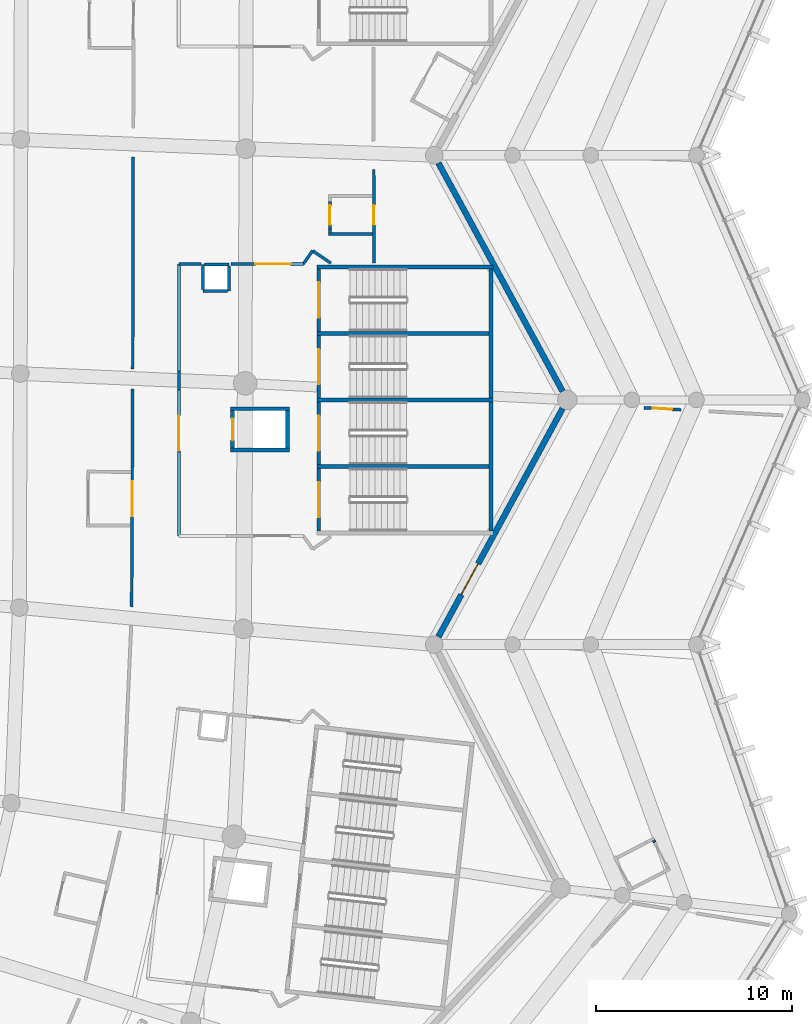
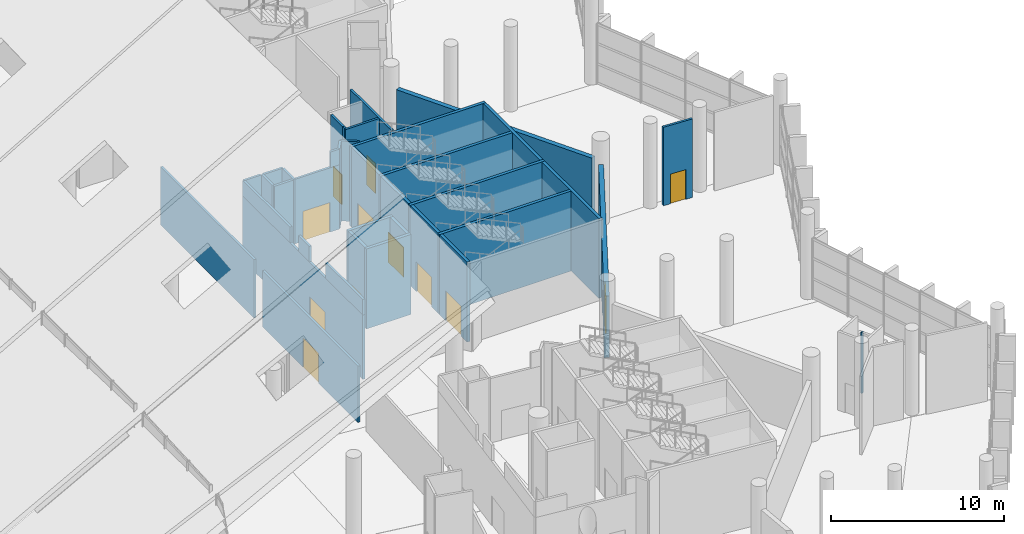
# One storey, part 156 of 249: 37 walls, 12 doors, 12 openings.
"""IFC4 building model written with IfcOpenShell, lengths in metres."""

import ifcopenshell
import ifcopenshell.guid

model = None  # the IFC model being written
_history = None  # IfcOwnerHistory: only IFC2X3 demands one
_inside = {}  # id of a spatial element -> (the spatial element, [elements in it])
_under = {}  # id of a project, library or spatial element -> (it, [spatial elements below it])
_declared = {}  # id of a project -> (the project, [libraries it declares])
_typed = {}  # id of a type object -> (the type object, [elements of that type])
_made_of = {}  # id of a material, layer set ... -> (it, [elements and type objects made of it])


def new_model(schema):
    """Start an empty IFC model of exactly this schema.

    Asked for "IFC4X3", IfcOpenShell would pick the latest addendum, in which some entities
    have other attributes; the version numbers below select the first issue.
    IFC2X3 requires an IfcOwnerHistory on every rooted entity: one is made here for all.
    """
    global model, _history
    if schema == "IFC4X3":
        model = ifcopenshell.file(schema_version=(4, 3, 0, 0))
    else:
        model = ifcopenshell.file(schema=schema)
    _inside.clear()
    _under.clear()
    _declared.clear()
    _typed.clear()
    _made_of.clear()
    _history = None
    if model.schema == "IFC2X3":
        org = make("IfcOrganization", Name="unknown")
        user = make(
            "IfcPersonAndOrganization",
            ThePerson=make("IfcPerson", FamilyName="unknown"),
            TheOrganization=org,
        )
        app = make(
            "IfcApplication",
            ApplicationDeveloper=org,
            Version="unknown",
            ApplicationFullName="unknown",
            ApplicationIdentifier="unknown",
        )
        _history = make(
            "IfcOwnerHistory",
            OwningUser=user,
            OwningApplication=app,
            ChangeAction="ADDED",
            CreationDate=0,
        )
    return model


def make(cls, **values):
    """One entity of the class cls with the attributes given. An attribute that is None is left unset."""
    return model.create_entity(
        cls, **{name: value for name, value in values.items() if value is not None}
    )


def rooted(cls, **values):
    """An entity with a GlobalId (a new one), such as an element, a storey or a relation."""
    return make(cls, GlobalId=ifcopenshell.guid.new(), OwnerHistory=_history, **values)


def si_unit(unit_type, name, prefix=None):
    """IfcSIUnit, for example si_unit("LENGTHUNIT", "METRE", prefix="MILLI")."""
    return make("IfcSIUnit", UnitType=unit_type, Prefix=prefix, Name=name)


def assignment(units):
    """IfcUnitAssignment: the units of a project."""
    return None if units is None else make("IfcUnitAssignment", Units=units)


def point(xyz):
    """IfcCartesianPoint."""
    return None if xyz is None else make("IfcCartesianPoint", Coordinates=xyz)


def direction(xyz):
    """IfcDirection."""
    return None if xyz is None else make("IfcDirection", DirectionRatios=xyz)


def frame(location, z_axis=None, x_axis=None):
    """IfcAxis2Placement3D, a coordinate frame: its origin and axes. An axis left out is left unset."""
    return make(
        "IfcAxis2Placement3D",
        Location=point(location),
        Axis=direction(z_axis),
        RefDirection=direction(x_axis),
    )


def frame_2d(location, x_axis=None):
    """IfcAxis2Placement2D, a coordinate frame in the plane: its origin and x axis."""
    return make(
        "IfcAxis2Placement2D", Location=point(location), RefDirection=direction(x_axis)
    )


def origin():
    """The frame at (0, 0, 0) with its axes left unset."""
    return frame((0.0, 0.0, 0.0))


def place(relative_to, where):
    """IfcLocalPlacement: puts the frame where relative to a parent placement (None: the world)."""
    return make(
        "IfcLocalPlacement", PlacementRelTo=relative_to, RelativePlacement=where
    )


def context(
    kind, dimensions, precision=None, world=None, true_north=None, identifier=None
):
    """IfcGeometricRepresentationContext, for example the 3D "Model" context."""
    return make(
        "IfcGeometricRepresentationContext",
        ContextIdentifier=identifier,
        ContextType=kind,
        CoordinateSpaceDimension=dimensions,
        Precision=precision,
        WorldCoordinateSystem=world,
        TrueNorth=true_north,
    )


def subcontext(parent, identifier, kind, view, scale=None):
    """IfcGeometricRepresentationSubContext, for example "Body" below "Model"."""
    return make(
        "IfcGeometricRepresentationSubContext",
        ContextIdentifier=identifier,
        ContextType=kind,
        ParentContext=parent,
        TargetScale=scale,
        TargetView=view,
    )


def project(units=None, contexts=None):
    """IfcProject with its units and contexts."""
    return rooted(
        "IfcProject",
        Name="project",
        RepresentationContexts=contexts,
        UnitsInContext=assignment(units),
    )


def spatial(cls, under=None, at=None, **own):
    """A site, building, storey or space (cls), placed at a placement, below another one or the project."""
    s = rooted(cls, ObjectPlacement=at, **own)
    if under is not None:
        _under.setdefault(under.id(), (under, []))[1].append(s)
    return s


def profile(cls, at=None, kind="AREA", **sizes):
    """A parametric profile (cls). Its sizes go by their IFC names, for example OverallWidth=200.0."""
    return make(cls, ProfileType=kind, Position=at, **sizes)


def rectangle(**sizes):
    """IfcRectangleProfileDef."""
    return profile("IfcRectangleProfileDef", **sizes)


def extrude(swept, where, along, depth):
    """IfcExtrudedAreaSolid: the profile swept, set in the frame where, extruded along a direction by depth."""
    return make(
        "IfcExtrudedAreaSolid",
        SweptArea=swept,
        Position=where,
        ExtrudedDirection=direction(along),
        Depth=depth,
    )


def shape(context_of_items, identifier, shape_type, items):
    """IfcShapeRepresentation: the items that make up one representation, for example the "Body"."""
    return make(
        "IfcShapeRepresentation",
        ContextOfItems=context_of_items,
        RepresentationIdentifier=identifier,
        RepresentationType=shape_type,
        Items=items,
    )


def material(Name=None, Category=None):
    """IfcMaterial."""
    return make("IfcMaterial", Name=Name, Category=Category)


def layer(
    of_material, thickness, ventilated=None, Name=None, Category=None, Priority=None
):
    """IfcMaterialLayer: one layer of a wall or slab, of a material (None: an air gap)."""
    return make(
        "IfcMaterialLayer",
        Material=of_material,
        LayerThickness=thickness,
        IsVentilated=ventilated,
        Name=Name,
        Category=Category,
        Priority=Priority,
    )


def layer_set(layers, Name=None):
    """IfcMaterialLayerSet."""
    return make("IfcMaterialLayerSet", MaterialLayers=layers, LayerSetName=Name)


def made_of(thing, what):
    """Note that an element or type object is made of a material, layer set ...; save() writes the relation."""
    if what is not None:
        _made_of.setdefault(what.id(), (what, []))[1].append(thing)
    return thing


def type_object(cls, material=None, **own):
    """A type object (cls), such as IfcWallType, which elements share."""
    return made_of(rooted(cls, **own), material)


def element(
    cls,
    number,
    at=None,
    inside=None,
    cuts=None,
    type_object=None,
    material=None,
    context=None,
    identifier="Body",
    shape_type=None,
    held_by="IfcProductDefinitionShape",
    body=None,
    shapes=None,
    **own,
):
    """One element of the class cls, such as IfcWall. Its Tag is "e" and its number.

    at: its placement. inside: the storey or other place that contains it. cuts: it is an
    opening in that element (IfcRelVoidsElement). A single representation is given by context,
    identifier, shape_type and body (its items); several are given by shapes. held_by: the class
    of the entity that holds the representations. save() writes the other relations.
    """
    e = rooted(cls, Tag="e%d" % number, ObjectPlacement=at, **own)
    if body is not None:
        shapes = [shape(context, identifier, shape_type, body)]
    if shapes is not None:
        e.Representation = make(held_by, Representations=shapes)
    if inside is not None:
        _inside.setdefault(inside.id(), (inside, []))[1].append(e)
    if cuts is not None:
        rooted(
            "IfcRelVoidsElement", RelatingBuildingElement=cuts, RelatedOpeningElement=e
        )
    if type_object is not None:
        _typed.setdefault(type_object.id(), (type_object, []))[1].append(e)
    return made_of(e, material)


def fill(opening, filler):
    """IfcRelFillsElement: the door or window that sits in an opening."""
    return rooted(
        "IfcRelFillsElement",
        RelatingOpeningElement=opening,
        RelatedBuildingElement=filler,
    )


def aggregate(whole, parts):
    """IfcRelAggregates: a whole, such as a stair, and the parts it consists of."""
    return rooted("IfcRelAggregates", RelatingObject=whole, RelatedObjects=parts)


def save(model, path):
    """Write the relations noted so far, then the file.

    IfcRelAggregates (storeys below a building ...), IfcRelContainedInSpatialStructure (elements
    in a storey), IfcRelDefinesByType, IfcRelAssociatesMaterial and IfcRelDeclares: one each for
    every whole, place, type object, material and project.
    """
    for whole, parts in _under.values():
        aggregate(whole, parts)
    for where, things in _inside.values():
        rooted(
            "IfcRelContainedInSpatialStructure",
            RelatedElements=things,
            RelatingStructure=where,
        )
    for kind, things in _typed.values():
        rooted("IfcRelDefinesByType", RelatedObjects=things, RelatingType=kind)
    for what, things in _made_of.values():
        rooted("IfcRelAssociatesMaterial", RelatedObjects=things, RelatingMaterial=what)
    for by, libraries in _declared.values():
        rooted("IfcRelDeclares", RelatingContext=by, RelatedDefinitions=libraries)
    model.write(path)


model = new_model("IFC4")

# Units and contexts
model_context = context("Model", 3, precision=1e-05, world=origin(), true_north=direction((0.0, 1.0)))
body_context = subcontext(model_context, "Body", "Model", "MODEL_VIEW")
ifc_project = project(units=[si_unit("LENGTHUNIT", "METRE"), si_unit("AREAUNIT", "SQUARE_METRE"), si_unit("VOLUMEUNIT", "CUBIC_METRE"), si_unit("PLANEANGLEUNIT", "RADIAN"), si_unit("MASSUNIT", "GRAM", prefix="KILO")], contexts=[model_context])

# Site, building, storey
site_placement = place(None, origin())
site = spatial("IfcSite", under=ifc_project, at=site_placement, CompositionType="ELEMENT")
building_placement = place(site_placement, origin())
building = spatial("IfcBuilding", under=site, at=building_placement, Name="Meseta Stadium", CompositionType="ELEMENT")
storey_placement = place(building_placement, frame((0.0, 0.0, 12.0)))
storey = spatial("IfcBuildingStorey", under=building, at=storey_placement, Name="L02", CompositionType="ELEMENT", Elevation=12.0)

# Walls
ifc_material_1 = material(Name="Concrete C40/50", Category="concrete")
ifc_layer_1 = layer(ifc_material_1, 0.199951171875)
ifc_layer_set_1 = layer_set([ifc_layer_1], Name="Core divider wall 200")
wall_type_1 = type_object("IfcWallType", Name="Core divider wall 200", PredefinedType="SHEAR", material=ifc_layer_set_1)
for number, where, z_axis, x_axis, name in (
    (1, (97.60009765625, -34.64990234375, 0.0), (0.0, 0.0, 1.0), (-1.0, 0.0, 0.0), "Core 02 L02 stair A divider wall"),
    (2, (97.60009765625, -27.85009765625, 0.0), (0.0, 0.0, 1.0), (-1.0, 0.0, 0.0), "Core 02 L02 stair B divider wall"),
):
    element("IfcWall", number, at=place(storey_placement, frame(where, z_axis=z_axis, x_axis=x_axis)), inside=storey, type_object=wall_type_1, Name=name, PredefinedType="SHEAR", context=body_context, shape_type="SweptSolid", body=[
        extrude(rectangle(XDim=9.0, YDim=0.199951171875, at=frame_2d((4.5, 0.0))), origin(), (0.0, 0.0, 1.0), 5.64990234375),
    ])
ifc_material_2 = material(Name="Concrete C40/50", Category="concrete")
ifc_layer_2 = layer(ifc_material_2, 0.199951171875)
ifc_layer_set_2 = layer_set([ifc_layer_2], Name="Core shaft wall 200")
wall_type_2 = type_object("IfcWallType", Name="Core shaft wall 200", PredefinedType="SHEAR", material=ifc_layer_set_2)
for number, where, z_axis, x_axis, name in (
    (3, (97.60009765625, -31.25, 0.0), (0.0, 0.0, 1.0), (-1.0, 0.0, 0.0), "Core 02 L02 stair wall shared"),
    (4, (97.60009765625, -24.449951171875, 0.0), (0.0, 0.0, 1.0), (-1.0, 0.0, 0.0), "Core 02 L02 stair wall B-side"),
):
    element("IfcWall", number, at=place(storey_placement, frame(where, z_axis=z_axis, x_axis=x_axis)), inside=storey, type_object=wall_type_2, Name=name, PredefinedType="SHEAR", context=body_context, shape_type="SweptSolid", body=[
        extrude(rectangle(XDim=9.0, YDim=0.199951171875, at=frame_2d((4.5, 0.0))), origin(), (0.0, 0.0, 1.0), 5.64990234375),
    ])
for number, where, z_axis, x_axis, name in (
    (5, (97.5, -37.949951171875, 0.0), (0.0, 0.0, 1.0), (0.0, 1.0, 0.0), "Core 02 L02 stair A outer end wall"),
    (6, (97.5, -31.14990234375, 0.0), (0.0, 0.0, 1.0), (0.0, 1.0, 0.0), "Core 02 L02 stair B outer end wall"),
):
    element("IfcWall", number, at=place(storey_placement, frame(where, z_axis=z_axis, x_axis=x_axis)), inside=storey, type_object=wall_type_2, Name=name, PredefinedType="SHEAR", context=body_context, shape_type="SweptSolid", body=[
        extrude(rectangle(XDim=6.599853515625, YDim=0.199951171875, at=frame_2d((3.2998046875, 0.0))), origin(), (0.0, 0.0, 1.0), 5.64990234375),
    ])

# Wall, opening, door
wall_1_placement = place(storey_placement, frame((88.699951171875, -37.949951171875, 0.0), z_axis=(0.0, 0.0, 1.0), x_axis=(0.0, 1.0, 0.0)))
wall_1 = element("IfcWall", 7, at=wall_1_placement, inside=storey, type_object=wall_type_2, Name="Core 02 L02 stair A1 inner end wall", PredefinedType="SHEAR", context=body_context, shape_type="SweptSolid", body=[
    extrude(rectangle(XDim=3.199951171875, YDim=0.199951171875, at=frame_2d((1.60009765625, 0.0))), origin(), (0.0, 0.0, 1.0), 5.64990234375),
])
opening_1_placement = place(wall_1_placement, frame((0.699951171875, 0.0, 0.0)))
opening_1 = element("IfcOpeningElement", 8, at=opening_1_placement, cuts=wall_1, Name="Opening D1241", PredefinedType="OPENING", context=body_context, shape_type="SweptSolid", body=[
    extrude(rectangle(XDim=1.800048828125, YDim=2.10009765625, at=frame_2d((0.89990234375, 1.050048828125))), frame((0.0, 0.10986328125, 0.0), z_axis=(0.0, -1.0, 0.0), x_axis=(1.0, 0.0, 0.0)), (0.0, 0.0, 1.0), 0.219970703125),
])
ifc_material_3 = material(Name="Steel", Category="steel")
door_type_1 = type_object("IfcDoorType", Name="Stair door 1800x2100", OperationType="DOUBLE_DOOR_SINGLE_SWING", PredefinedType="DOOR", material=ifc_material_3)
door_1_placement = place(opening_1_placement, origin())
door_1 = element("IfcDoor", 9, at=door_1_placement, inside=storey, type_object=door_type_1, Name="Stair A1 door 02 L02", OperationType="DOUBLE_DOOR_SINGLE_SWING", OverallHeight=2.10009765625, OverallWidth=1.800048828125, PredefinedType="DOOR", context=body_context, shape_type="SweptSolid", body=[
    extrude(rectangle(XDim=1.800048828125, YDim=2.10009765625, at=frame_2d((0.89990234375, 1.050048828125))), frame((0.0, 0.02490234375, 0.0), z_axis=(0.0, -1.0, 0.0), x_axis=(1.0, 0.0, 0.0)), (0.0, 0.0, 1.0), 0.050048828125),
])
fill(opening_1, door_1)

wall_2_placement = place(storey_placement, frame((88.699951171875, -34.550048828125, 0.0), z_axis=(0.0, 0.0, 1.0), x_axis=(0.0, 1.0, 0.0)))
wall_2 = element("IfcWall", 10, at=wall_2_placement, inside=storey, type_object=wall_type_2, Name="Core 02 L02 stair A2 inner end wall", PredefinedType="SHEAR", context=body_context, shape_type="SweptSolid", body=[
    extrude(rectangle(XDim=3.199951171875, YDim=0.199951171875, at=frame_2d((1.60009765625, 0.0))), origin(), (0.0, 0.0, 1.0), 5.64990234375),
])
opening_2_placement = place(wall_2_placement, frame((0.699951171875, 0.0, 0.0)))
opening_2 = element("IfcOpeningElement", 11, at=opening_2_placement, cuts=wall_2, Name="Opening D1242", PredefinedType="OPENING", context=body_context, shape_type="SweptSolid", body=[
    extrude(rectangle(XDim=1.800048828125, YDim=2.10009765625, at=frame_2d((0.89990234375, 1.050048828125))), frame((0.0, 0.10986328125, 0.0), z_axis=(0.0, -1.0, 0.0), x_axis=(1.0, 0.0, 0.0)), (0.0, 0.0, 1.0), 0.219970703125),
])
door_2_placement = place(opening_2_placement, origin())
door_2 = element("IfcDoor", 12, at=door_2_placement, inside=storey, type_object=door_type_1, Name="Stair A2 door 02 L02", OperationType="DOUBLE_DOOR_SINGLE_SWING", OverallHeight=2.10009765625, OverallWidth=1.800048828125, PredefinedType="DOOR", context=body_context, shape_type="SweptSolid", body=[
    extrude(rectangle(XDim=1.800048828125, YDim=2.10009765625, at=frame_2d((0.89990234375, 1.050048828125))), frame((0.0, 0.02490234375, 0.0), z_axis=(0.0, -1.0, 0.0), x_axis=(1.0, 0.0, 0.0)), (0.0, 0.0, 1.0), 0.050048828125),
])
fill(opening_2, door_2)

wall_3_placement = place(storey_placement, frame((88.699951171875, -31.14990234375, 0.0), z_axis=(0.0, 0.0, 1.0), x_axis=(0.0, 1.0, 0.0)))
wall_3 = element("IfcWall", 13, at=wall_3_placement, inside=storey, type_object=wall_type_2, Name="Core 02 L02 stair B1 inner end wall", PredefinedType="SHEAR", context=body_context, shape_type="SweptSolid", body=[
    extrude(rectangle(XDim=3.199951171875, YDim=0.199951171875, at=frame_2d((1.60009765625, 0.0))), origin(), (0.0, 0.0, 1.0), 5.64990234375),
])
opening_3_placement = place(wall_3_placement, frame((0.699951171875, 0.0, 0.0)))
opening_3 = element("IfcOpeningElement", 14, at=opening_3_placement, cuts=wall_3, Name="Opening D1243", PredefinedType="OPENING", context=body_context, shape_type="SweptSolid", body=[
    extrude(rectangle(XDim=1.800048828125, YDim=2.10009765625, at=frame_2d((0.89990234375, 1.050048828125))), frame((0.0, 0.10986328125, 0.0), z_axis=(0.0, -1.0, 0.0), x_axis=(1.0, 0.0, 0.0)), (0.0, 0.0, 1.0), 0.219970703125),
])
door_3_placement = place(opening_3_placement, origin())
door_3 = element("IfcDoor", 15, at=door_3_placement, inside=storey, type_object=door_type_1, Name="Stair B1 door 02 L02", OperationType="DOUBLE_DOOR_SINGLE_SWING", OverallHeight=2.10009765625, OverallWidth=1.800048828125, PredefinedType="DOOR", context=body_context, shape_type="SweptSolid", body=[
    extrude(rectangle(XDim=1.800048828125, YDim=2.10009765625, at=frame_2d((0.89990234375, 1.050048828125))), frame((0.0, 0.02490234375, 0.0), z_axis=(0.0, -1.0, 0.0), x_axis=(1.0, 0.0, 0.0)), (0.0, 0.0, 1.0), 0.050048828125),
])
fill(opening_3, door_3)

wall_4_placement = place(storey_placement, frame((88.699951171875, -27.75, 0.0), z_axis=(0.0, 0.0, 1.0), x_axis=(0.0, 1.0, 0.0)))
wall_4 = element("IfcWall", 16, at=wall_4_placement, inside=storey, type_object=wall_type_2, Name="Core 02 L02 stair B2 inner end wall", PredefinedType="SHEAR", context=body_context, shape_type="SweptSolid", body=[
    extrude(rectangle(XDim=3.199951171875, YDim=0.199951171875, at=frame_2d((1.60009765625, 0.0))), origin(), (0.0, 0.0, 1.0), 5.64990234375),
])
opening_4_placement = place(wall_4_placement, frame((0.699951171875, 0.0, 0.0)))
opening_4 = element("IfcOpeningElement", 17, at=opening_4_placement, cuts=wall_4, Name="Opening D1244", PredefinedType="OPENING", context=body_context, shape_type="SweptSolid", body=[
    extrude(rectangle(XDim=1.800048828125, YDim=2.10009765625, at=frame_2d((0.89990234375, 1.050048828125))), frame((0.0, 0.10986328125, 0.0), z_axis=(0.0, -1.0, 0.0), x_axis=(1.0, 0.0, 0.0)), (0.0, 0.0, 1.0), 0.219970703125),
])
door_4_placement = place(opening_4_placement, origin())
door_4 = element("IfcDoor", 18, at=door_4_placement, inside=storey, type_object=door_type_1, Name="Stair B2 door 02 L02", OperationType="DOUBLE_DOOR_SINGLE_SWING", OverallHeight=2.10009765625, OverallWidth=1.800048828125, PredefinedType="DOOR", context=body_context, shape_type="SweptSolid", body=[
    extrude(rectangle(XDim=1.800048828125, YDim=2.10009765625, at=frame_2d((0.89990234375, 1.050048828125))), frame((0.0, 0.02490234375, 0.0), z_axis=(0.0, -1.0, 0.0), x_axis=(1.0, 0.0, 0.0)), (0.0, 0.0, 1.0), 0.050048828125),
])
fill(opening_4, door_4)

# Walls
for number, where, z_axis, x_axis, name in (
    (19, (87.199951171875, -33.800048828125, 0.0), (0.0, 0.0, 1.0), (-1.0, 0.0, 0.0), "Core 02 L02 lift shaft wall left"),
    (20, (87.199951171875, -31.699951171875, 0.0), (0.0, 0.0, 1.0), (-1.0, 0.0, 0.0), "Core 02 L02 lift shaft wall right"),
):
    element("IfcWall", number, at=place(storey_placement, frame(where, z_axis=z_axis, x_axis=x_axis)), inside=storey, type_object=wall_type_2, Name=name, PredefinedType="SHEAR", context=body_context, shape_type="SweptSolid", body=[
        extrude(rectangle(XDim=3.0, YDim=0.199951171875, at=frame_2d((1.5, 0.0))), origin(), (0.0, 0.0, 1.0), 5.64990234375),
    ])
wall_5_placement = place(storey_placement, frame((87.10009765625, -33.699951171875, 0.0), z_axis=(0.0, 0.0, 1.0), x_axis=(0.0, 1.0, 0.0)))
element("IfcWall", 21, at=wall_5_placement, inside=storey, type_object=wall_type_2, Name="Core 02 L02 lift shaft back wall", PredefinedType="SHEAR", context=body_context, shape_type="SweptSolid", body=[
    extrude(rectangle(XDim=1.89990234375, YDim=0.199951171875, at=frame_2d((0.949951171875, 0.0))), origin(), (0.0, 0.0, 1.0), 5.64990234375),
])

# Wall, opening, door
wall_6_placement = place(storey_placement, frame((84.300048828125, -33.699951171875, 0.0), z_axis=(0.0, 0.0, 1.0), x_axis=(0.0, 1.0, 0.0)))
wall_6 = element("IfcWall", 22, at=wall_6_placement, inside=storey, type_object=wall_type_2, Name="Core 02 L02 lift shaft front wall", PredefinedType="SHEAR", context=body_context, shape_type="SweptSolid", body=[
    extrude(rectangle(XDim=1.89990234375, YDim=0.199951171875, at=frame_2d((0.949951171875, 0.0))), origin(), (0.0, 0.0, 1.0), 5.64990234375),
])
opening_5_placement = place(wall_6_placement, frame((0.39990234375, 0.0, 0.0)))
opening_5 = element("IfcOpeningElement", 23, at=opening_5_placement, cuts=wall_6, Name="Opening LD10", PredefinedType="OPENING", context=body_context, shape_type="SweptSolid", body=[
    extrude(rectangle(XDim=1.10009765625, YDim=2.10009765625, at=frame_2d((0.550048828125, 1.050048828125))), frame((0.0, 0.10986328125, 0.0), z_axis=(0.0, -1.0, 0.0), x_axis=(1.0, 0.0, 0.0)), (0.0, 0.0, 1.0), 0.219970703125),
])
ifc_material_4 = material(Name="Steel", Category="steel")
door_type_2 = type_object("IfcDoorType", Name="Lift landing door 1100x2100", OperationType="SLIDING_TO_LEFT", PredefinedType="DOOR", material=ifc_material_4)
door_5_placement = place(opening_5_placement, origin())
door_5 = element("IfcDoor", 24, at=door_5_placement, inside=storey, type_object=door_type_2, Name="Lift landing door LD10", OperationType="SLIDING_TO_RIGHT", OverallHeight=2.10009765625, OverallWidth=1.10009765625, PredefinedType="DOOR", context=body_context, shape_type="SweptSolid", body=[
    extrude(rectangle(XDim=1.10009765625, YDim=2.10009765625, at=frame_2d((0.550048828125, 1.050048828125))), frame((0.0, 0.02490234375, 0.0), z_axis=(0.0, -1.0, 0.0), x_axis=(1.0, 0.0, 0.0)), (0.0, 0.0, 1.0), 0.050048828125),
])
fill(opening_5, door_5)

ifc_material_5 = material(Name="Masonry blockwork", Category="masonry")
ifc_layer_3 = layer(ifc_material_5, 0.14990234375)
ifc_layer_set_3 = layer_set([ifc_layer_3], Name="Partition 150")
wall_type_3 = type_object("IfcWallType", Name="Partition 150", PredefinedType="PARTITIONING", material=ifc_layer_set_3)
wall_7_placement = place(storey_placement, frame((79.1904296875, -30.7021484375, 0.0), z_axis=(0.0, 0.0, 1.0), x_axis=(-0.004546006523, -0.999989666859, 0.0)))
wall_7 = element("IfcWall", 25, at=wall_7_placement, inside=storey, type_object=wall_type_3, Name="Partition L02 L02-cell00-0-0", PredefinedType="PARTITIONING", context=body_context, shape_type="SweptSolid", body=[
    extrude(rectangle(XDim=11.11669921875, YDim=0.14990234375, at=frame_2d((5.558349609375, 0.0))), origin(), (0.0, 0.0, 1.0), 3.972900390625),
])
opening_6_placement = place(wall_7_placement, frame((4.699951171875, 0.0, 0.0)))
opening_6 = element("IfcOpeningElement", 26, at=opening_6_placement, cuts=wall_7, Name="Opening D1204", PredefinedType="OPENING", context=body_context, shape_type="SweptSolid", body=[
    extrude(rectangle(XDim=1.800048828125, YDim=2.10009765625, at=frame_2d((0.89990234375, 1.050048828125))), frame((0.0, 0.0849609375, 0.0), z_axis=(0.0, -1.0, 0.0), x_axis=(1.0, 0.0, 0.0)), (0.0, 0.0, 1.0), 0.169921875),
])
ifc_material_6 = material(Name="Steel", Category="steel")
door_type_3 = type_object("IfcDoorType", Name="Fire double door 1800x2100 EI2 60", OperationType="DOUBLE_DOOR_SINGLE_SWING", PredefinedType="DOOR", material=ifc_material_6)
door_6_placement = place(opening_6_placement, origin())
door_6 = element("IfcDoor", 27, at=door_6_placement, inside=storey, type_object=door_type_3, Name="Room door L02 L02-cell00-0-0", OperationType="DOUBLE_DOOR_SINGLE_SWING", OverallHeight=2.10009765625, OverallWidth=1.800048828125, PredefinedType="DOOR", context=body_context, shape_type="SweptSolid", body=[
    extrude(rectangle(XDim=1.800048828125, YDim=2.10009765625, at=frame_2d((0.89990234375, 1.050048828125))), frame((0.0, 0.02490234375, 0.0), z_axis=(0.0, -1.0, 0.0), x_axis=(1.0, 0.0, 0.0)), (0.0, 0.0, 1.0), 0.050048828125),
])
fill(opening_6, door_6)

# Wall
wall_8_placement = place(storey_placement, frame((79.218505859375, -18.84521484375, 0.0), z_axis=(0.0, 0.0, 1.0), x_axis=(-0.002254023351, -0.999997459686, 0.0)))
element("IfcWall", 28, at=wall_8_placement, inside=storey, type_object=wall_type_3, Name="Partition L02 L02-cell01-0-0", PredefinedType="PARTITIONING", context=body_context, shape_type="SweptSolid", body=[
    extrude(rectangle(XDim=10.831298828125, YDim=0.14990234375, at=frame_2d((5.41552734375, 0.0))), origin(), (0.0, 0.0, 1.0), 4.123779296875),
])

# Wall, opening, door
wall_9_placement = place(storey_placement, frame((91.528564453125, -24.25, 0.0), z_axis=(0.0, 0.0, 1.0), x_axis=(-0.00367531974, 0.99999324599, 0.0)))
wall_9 = element("IfcWall", 29, at=wall_9_placement, inside=storey, type_object=wall_type_3, Name="Partition L02 L02-cell01-2-0", PredefinedType="PARTITIONING", context=body_context, shape_type="SweptSolid", body=[
    extrude(rectangle(XDim=4.78271484375, YDim=0.14990234375, at=frame_2d((2.391357421875, 0.0))), origin(), (0.0, 0.0, 1.0), 5.64990234375),
])
opening_7_placement = place(wall_9_placement, frame((1.949951171875, 0.0, 0.0)))
opening_7 = element("IfcOpeningElement", 30, at=opening_7_placement, cuts=wall_9, Name="Opening D1257", PredefinedType="OPENING", context=body_context, shape_type="SweptSolid", body=[
    extrude(rectangle(XDim=1.0, YDim=2.10009765625, at=frame_2d((0.5, 1.050048828125))), frame((0.0, 0.0849609375, 0.0), z_axis=(0.0, -1.0, 0.0), x_axis=(1.0, 0.0, 0.0)), (0.0, 0.0, 1.0), 0.169921875),
])
ifc_material_7 = material(Name="Steel", Category="steel")
door_type_4 = type_object("IfcDoorType", Name="Fire door 1000x2100 EI2 60", OperationType="NOTDEFINED", PredefinedType="DOOR", material=ifc_material_7)
door_7_placement = place(opening_7_placement, origin())
door_7 = element("IfcDoor", 31, at=door_7_placement, inside=storey, type_object=door_type_4, Name="Room door L02 L02-cell01-2-0", OperationType="SINGLE_SWING_LEFT", OverallHeight=2.10009765625, OverallWidth=1.0, PredefinedType="DOOR", context=body_context, shape_type="SweptSolid", body=[
    extrude(rectangle(XDim=1.0, YDim=2.10009765625, at=frame_2d((0.5, 1.050048828125))), frame((0.0, 0.02490234375, 0.0), z_axis=(0.0, -1.0, 0.0), x_axis=(1.0, 0.0, 0.0)), (0.0, 0.0, 1.0), 0.050048828125),
])
fill(opening_7, door_7)

wall_10_placement = place(storey_placement, frame((107.211181640625, -31.7548828125, 0.0), z_axis=(0.0, 0.0, 1.0), x_axis=(-0.998501960067, 0.054715955105, 0.0)))
wall_10 = element("IfcWall", 32, at=wall_10_placement, inside=storey, type_object=wall_type_3, Name="Partition L02 L02-ring00-0", PredefinedType="PARTITIONING", context=body_context, shape_type="SweptSolid", body=[
    extrude(rectangle(XDim=1.90087890625, YDim=0.14990234375, at=frame_2d((0.950439453125, 0.0))), origin(), (0.0, 0.0, 1.0), 5.550048828125),
])
opening_8_placement = place(wall_10_placement, frame((0.45068359375, 0.0, 0.0)))
opening_8 = element("IfcOpeningElement", 33, at=opening_8_placement, cuts=wall_10, Name="Opening D1269", PredefinedType="OPENING", context=body_context, shape_type="SweptSolid", body=[
    extrude(rectangle(XDim=1.0, YDim=2.10009765625, at=frame_2d((0.5, 1.050048828125))), frame((0.0, 0.0849609375, 0.0), z_axis=(0.0, -1.0, 0.0), x_axis=(1.0, 0.0, 0.0)), (0.0, 0.0, 1.0), 0.169921875),
])
door_8_placement = place(opening_8_placement, origin())
door_8 = element("IfcDoor", 34, at=door_8_placement, inside=storey, type_object=door_type_4, Name="Room door L02 L02-ring01-0", OperationType="SINGLE_SWING_LEFT", OverallHeight=2.10009765625, OverallWidth=1.0, PredefinedType="DOOR", context=body_context, shape_type="SweptSolid", body=[
    extrude(rectangle(XDim=1.0, YDim=2.10009765625, at=frame_2d((0.5, 1.050048828125))), frame((0.0, 0.02490234375, 0.0), z_axis=(0.0, -1.0, 0.0), x_axis=(1.0, 0.0, 0.0)), (0.0, 0.0, 1.0), 0.050048828125),
])
fill(opening_8, door_8)

# Walls
wall_11_placement = place(storey_placement, frame((84.125, -25.675048828125, 0.0), z_axis=(0.0, 0.0, 1.0), x_axis=(0.0, 1.0, 0.0)))
element("IfcWall", 35, at=wall_11_placement, inside=storey, type_object=wall_type_3, Name="Pressurisation shaft wall L02 core 02", PredefinedType="PARTITIONING", context=body_context, shape_type="SweptSolid", body=[
    extrude(rectangle(XDim=1.275146484375, YDim=0.14990234375, at=frame_2d((0.6376953125, 0.0))), origin(), (0.0, 0.0, 1.0), 5.64990234375),
])
wall_12_placement = place(storey_placement, frame((84.125, -24.324951171875, 0.0), z_axis=(0.0, 0.0, 1.0), x_axis=(-1.0, 0.0, 0.0)))
element("IfcWall", 36, at=wall_12_placement, inside=storey, type_object=wall_type_3, Name="Pressurisation shaft wall L02 core 02", PredefinedType="PARTITIONING", context=body_context, shape_type="SweptSolid", body=[
    extrude(rectangle(XDim=1.27490234375, YDim=0.14990234375, at=frame_2d((0.637451171875, 0.0))), origin(), (0.0, 0.0, 1.0), 5.64990234375),
])
for number, where, z_axis, x_axis, name in (
    (37, (82.77490234375, -24.324951171875, 0.0), (0.0, 0.0, 1.0), (0.0, -1.0, 0.0), "Pressurisation shaft wall L02 core 02"),
    (38, (82.77490234375, -25.675048828125, 0.0), (0.0, 0.0, 1.0), (1.0, 0.0, 0.0), "Pressurisation shaft wall L02 core 02"),
):
    element("IfcWall", number, at=place(storey_placement, frame(where, z_axis=z_axis, x_axis=x_axis)), inside=storey, type_object=wall_type_3, Name=name, PredefinedType="PARTITIONING", context=body_context, shape_type="SweptSolid", body=[
        extrude(rectangle(XDim=1.275146484375, YDim=0.14990234375, at=frame_2d((0.6376953125, 0.0))), origin(), (0.0, 0.0, 1.0), 5.64990234375),
    ])
wall_13_placement = place(storey_placement, frame((82.68994140625, -24.304931640625, 0.0), z_axis=(0.0, 0.0, 1.0), x_axis=(-1.0, 0.0, 0.0)))
element("IfcWall", 39, at=wall_13_placement, inside=storey, type_object=wall_type_3, Name="Stair vestibule wall L02 core 02", PredefinedType="PARTITIONING", context=body_context, shape_type="SweptSolid", body=[
    extrude(rectangle(XDim=1.135009765625, YDim=0.14990234375, at=frame_2d((0.5673828125, 0.0))), origin(), (0.0, 0.0, 1.0), 5.64990234375),
])

# Wall, opening, door
wall_14_placement = place(storey_placement, frame((81.554931640625, -24.304931640625, 0.0), z_axis=(0.0, 0.0, 1.0), x_axis=(0.0, -1.0, 0.0)))
wall_14 = element("IfcWall", 40, at=wall_14_placement, inside=storey, type_object=wall_type_3, Name="Stair vestibule wall L02 core 02", PredefinedType="PARTITIONING", context=body_context, shape_type="SweptSolid", body=[
    extrude(rectangle(XDim=13.89013671875, YDim=0.14990234375, at=frame_2d((6.945068359375, 0.0))), origin(), (0.0, 0.0, 1.0), 4.550048828125),
])
opening_9_placement = place(wall_14_placement, frame((7.75, 0.0, 0.0)))
opening_9 = element("IfcOpeningElement", 41, at=opening_9_placement, cuts=wall_14, Name="Opening D1212", PredefinedType="OPENING", context=body_context, shape_type="SweptSolid", body=[
    extrude(rectangle(XDim=1.800048828125, YDim=2.10009765625, at=frame_2d((0.89990234375, 1.050048828125))), frame((0.0, 0.0849609375, 0.0), z_axis=(0.0, -1.0, 0.0), x_axis=(1.0, 0.0, 0.0)), (0.0, 0.0, 1.0), 0.169921875),
])
door_9_placement = place(opening_9_placement, origin())
door_9 = element("IfcDoor", 42, at=door_9_placement, inside=storey, type_object=door_type_3, Name="Stair vestibule door L02 core 02", OperationType="DOUBLE_DOOR_SINGLE_SWING", OverallHeight=2.10009765625, OverallWidth=1.800048828125, PredefinedType="DOOR", context=body_context, shape_type="SweptSolid", body=[
    extrude(rectangle(XDim=1.800048828125, YDim=2.10009765625, at=frame_2d((0.89990234375, 1.050048828125))), frame((0.0, 0.02490234375, 0.0), z_axis=(0.0, -1.0, 0.0), x_axis=(1.0, 0.0, 0.0)), (0.0, 0.0, 1.0), 0.050048828125),
])
fill(opening_9, door_9)

# Walls
wall_15_placement = place(storey_placement, frame((81.554931640625, -24.304931640625, 4.550048828125), z_axis=(0.0, 0.0, 1.0), x_axis=(0.0, -1.0, 0.0)))
element("IfcWall", 43, at=wall_15_placement, inside=storey, type_object=wall_type_3, Name="Stair vestibule wall L02 core 02", PredefinedType="PARTITIONING", context=body_context, shape_type="SweptSolid", body=[
    extrude(rectangle(XDim=5.456787109375, YDim=0.14990234375, at=frame_2d((2.728515625, 0.0))), origin(), (0.0, 0.0, 1.0), 1.099853515625),
])
wall_16_placement = place(storey_placement, frame((81.554931640625, -33.905029296875, 4.550048828125), z_axis=(0.0, 0.0, 1.0), x_axis=(0.0, -1.0, 0.0)))
element("IfcWall", 44, at=wall_16_placement, inside=storey, type_object=wall_type_3, Name="Stair vestibule wall L02 core 02", PredefinedType="PARTITIONING", context=body_context, shape_type="SweptSolid", body=[
    extrude(rectangle(XDim=4.2900390625, YDim=0.14990234375, at=frame_2d((2.14501953125, 0.0))), origin(), (0.0, 0.0, 1.0), 1.099853515625),
])
wall_17_placement = place(storey_placement, frame((89.319580078125, -24.260498046875, 0.0), z_axis=(0.0, 0.0, 1.0), x_axis=(-0.827055308354, 0.562120553728, 0.0)))
element("IfcWall", 45, at=wall_17_placement, inside=storey, type_object=wall_type_3, Name="Stair vestibule wall L02 core 02", PredefinedType="PARTITIONING", context=body_context, shape_type="SweptSolid", body=[
    extrude(rectangle(XDim=1.1279296875, YDim=0.14990234375, at=frame_2d((0.56396484375, 0.0))), origin(), (0.0, 0.0, 1.0), 5.64990234375),
])
wall_18_placement = place(storey_placement, frame((88.38671875, -23.62646484375, 0.0), z_axis=(0.0, 0.0, 1.0), x_axis=(-0.575376756214, -0.817888493872, 0.0)))
element("IfcWall", 46, at=wall_18_placement, inside=storey, type_object=wall_type_3, Name="Stair vestibule wall L02 core 02", PredefinedType="PARTITIONING", context=body_context, shape_type="SweptSolid", body=[
    extrude(rectangle(XDim=0.82958984375, YDim=0.14990234375, at=frame_2d((0.414794921875, 0.0))), origin(), (0.0, 0.0, 1.0), 5.64990234375),
])

# Wall, opening, door
wall_19_placement = place(storey_placement, frame((87.909423828125, -24.304931640625, 0.0), z_axis=(0.0, 0.0, 1.0), x_axis=(-1.0, 0.0, 0.0)))
wall_19 = element("IfcWall", 47, at=wall_19_placement, inside=storey, type_object=wall_type_3, Name="Stair vestibule wall L02 core 02", PredefinedType="PARTITIONING", context=body_context, shape_type="SweptSolid", body=[
    extrude(rectangle(XDim=3.70361328125, YDim=0.14990234375, at=frame_2d((1.851806640625, 0.0))), origin(), (0.0, 0.0, 1.0), 4.550048828125),
])
opening_10_placement = place(wall_19_placement, frame((0.64990234375, 0.0, 0.0)))
opening_10 = element("IfcOpeningElement", 48, at=opening_10_placement, cuts=wall_19, Name="Opening D1229", PredefinedType="OPENING", context=body_context, shape_type="SweptSolid", body=[
    extrude(rectangle(XDim=1.800048828125, YDim=2.10009765625, at=frame_2d((0.89990234375, 1.050048828125))), frame((0.0, 0.0849609375, 0.0), z_axis=(0.0, -1.0, 0.0), x_axis=(1.0, 0.0, 0.0)), (0.0, 0.0, 1.0), 0.169921875),
])
door_10_placement = place(opening_10_placement, origin())
door_10 = element("IfcDoor", 49, at=door_10_placement, inside=storey, type_object=door_type_3, Name="Stair vestibule door L02 core 02", OperationType="DOUBLE_DOOR_SINGLE_SWING", OverallHeight=2.10009765625, OverallWidth=1.800048828125, PredefinedType="DOOR", context=body_context, shape_type="SweptSolid", body=[
    extrude(rectangle(XDim=1.800048828125, YDim=2.10009765625, at=frame_2d((0.89990234375, 1.050048828125))), frame((0.0, 0.02490234375, 0.0), z_axis=(0.0, -1.0, 0.0), x_axis=(1.0, 0.0, 0.0)), (0.0, 0.0, 1.0), 0.050048828125),
])
fill(opening_10, door_10)

# Walls
wall_20_placement = place(storey_placement, frame((87.909423828125, -24.304931640625, 4.550048828125), z_axis=(0.0, 0.0, 1.0), x_axis=(-1.0, 0.0, 0.0)))
element("IfcWall", 50, at=wall_20_placement, inside=storey, type_object=wall_type_3, Name="Stair vestibule wall L02 core 02", PredefinedType="PARTITIONING", context=body_context, shape_type="SweptSolid", body=[
    extrude(rectangle(XDim=0.599853515625, YDim=0.14990234375, at=frame_2d((0.2998046875, 0.0))), origin(), (0.0, 0.0, 1.0), 1.099853515625),
])
wall_21_placement = place(storey_placement, frame((91.4482421875, -22.775390625, 0.0), z_axis=(0.0, 0.0, 1.0), x_axis=(-0.999993194838, -0.003689211005, 0.0)))
element("IfcWall", 51, at=wall_21_placement, inside=storey, type_object=wall_type_3, Name="Partition L02 L02-cell01-2-0 vestibule", PredefinedType="PARTITIONING", context=body_context, shape_type="SweptSolid", body=[
    extrude(rectangle(XDim=2.25, YDim=0.14990234375, at=frame_2d((1.125, 0.0))), origin(), (0.0, 0.0, 1.0), 5.64990234375),
])
wall_22_placement = place(storey_placement, frame((89.27294921875, -22.708251953125, 0.0), z_axis=(0.0, 0.0, 1.0), x_axis=(-0.003662979089, 0.99999329127, 0.0)))
element("IfcWall", 52, at=wall_22_placement, inside=storey, type_object=wall_type_3, Name="Partition L02 L02-cell01-2-0 vestibule", PredefinedType="PARTITIONING", context=body_context, shape_type="SweptSolid", body=[
    extrude(rectangle(XDim=0.199951171875, YDim=0.14990234375, at=frame_2d((0.10009765625, 0.0))), origin(), (0.0, 0.0, 1.0), 5.64990234375),
])

# Wall, opening, door
wall_23_placement = place(storey_placement, frame((89.272216796875, -22.50830078125, 0.0), z_axis=(0.0, 0.0, 1.0), x_axis=(-0.00366234028, 0.999993293609, 0.0)))
wall_23 = element("IfcWall", 53, at=wall_23_placement, inside=storey, type_object=wall_type_3, Name="Partition L02 L02-cell01-2-0 vestibule", PredefinedType="PARTITIONING", context=body_context, shape_type="SweptSolid", body=[
    extrude(rectangle(XDim=1.39990234375, YDim=0.14990234375, at=frame_2d((0.699951171875, 0.0))), origin(), (0.0, 0.0, 1.0), 5.64990234375),
])
opening_11_placement = place(wall_23_placement, frame((0.199951171875, 0.0, 0.0)))
opening_11 = element("IfcOpeningElement", 54, at=opening_11_placement, cuts=wall_23, Name="Opening D1254", PredefinedType="OPENING", context=body_context, shape_type="SweptSolid", body=[
    extrude(rectangle(XDim=1.0, YDim=2.10009765625, at=frame_2d((0.5, 1.050048828125))), frame((0.0, 0.0849609375, 0.0), z_axis=(0.0, -1.0, 0.0), x_axis=(1.0, 0.0, 0.0)), (0.0, 0.0, 1.0), 0.169921875),
])
door_11_placement = place(opening_11_placement, origin())
door_11 = element("IfcDoor", 55, at=door_11_placement, inside=storey, type_object=door_type_4, Name="Vestibule door L02 L02-cell01-2-0", OperationType="SINGLE_SWING_LEFT", OverallHeight=2.10009765625, OverallWidth=1.0, PredefinedType="DOOR", context=body_context, shape_type="SweptSolid", body=[
    extrude(rectangle(XDim=1.0, YDim=2.10009765625, at=frame_2d((0.5, 1.050048828125))), frame((0.0, 0.02490234375, 0.0), z_axis=(0.0, -1.0, 0.0), x_axis=(1.0, 0.0, 0.0)), (0.0, 0.0, 1.0), 0.050048828125),
])
fill(opening_11, door_11)

# Walls
wall_24_placement = place(storey_placement, frame((105.857421875, -53.848388671875, 0.0), z_axis=(0.0, 0.0, 1.0), x_axis=(-0.460815270647, 0.887496076802, 0.0)))
element("IfcWall", 56, at=wall_24_placement, inside=storey, type_object=wall_type_3, Name="Partition L02 L02-ring00-0 vestibule", PredefinedType="PARTITIONING", context=body_context, shape_type="SweptSolid", body=[
    extrude(rectangle(XDim=0.10009765625, YDim=0.14990234375, at=frame_2d((0.050048828125, 0.0))), origin(), (0.0, 0.0, 1.0), 4.300048828125),
])
wall_25_placement = place(storey_placement, frame((81.554931640625, -30.75390625, 4.550048828125), z_axis=(0.0, 0.0, 1.0), x_axis=(0.0, -1.0, 0.0)))
element("IfcWall", 57, at=wall_25_placement, inside=storey, type_object=wall_type_3, Name="Stair vestibule wall L02 core 02", PredefinedType="PARTITIONING", context=body_context, shape_type="SweptSolid", body=[
    extrude(rectangle(XDim=1.2509765625, YDim=0.14990234375, at=frame_2d((0.62548828125, 0.0))), origin(), (0.0, 0.0, 1.0), 1.099853515625),
])

# Wall, opening, door
ifc_material_8 = material(Name="White precast concrete C40/50", Category="concrete")
ifc_layer_4 = layer(ifc_material_8, 0.300048828125)
ifc_layer_set_4 = layer_set([ifc_layer_4], Name="Pleated panel wall 300 concourse")
wall_type_4 = type_object("IfcWallType", Name="Pleated panel wall 300 concourse", PredefinedType="SOLIDWALL", material=ifc_layer_set_4)
wall_26_placement = place(storey_placement, frame((101.1611328125, -31.68896484375, 0.0), z_axis=(0.0, 0.0, 1.0), x_axis=(-0.477867771117, -0.878431780691, 0.0)))
wall_26 = element("IfcWall", 58, at=wall_26_placement, inside=storey, type_object=wall_type_4, Name="Pleated facade panel L02 F01", PredefinedType="SOLIDWALL", context=body_context, shape_type="SweptSolid", body=[
    extrude(rectangle(XDim=13.2802734375, YDim=0.300048828125, at=frame_2d((6.64013671875, 0.0))), origin(), (0.0, 0.0, 1.0), 4.35009765625),
])
opening_12_placement = place(wall_26_placement, frame((9.030029296875, 0.0, 0.0)))
opening_12 = element("IfcOpeningElement", 59, at=opening_12_placement, cuts=wall_26, Name="Opening D1263", PredefinedType="OPENING", context=body_context, shape_type="SweptSolid", body=[
    extrude(rectangle(XDim=1.800048828125, YDim=2.39990234375, at=frame_2d((0.89990234375, 1.199951171875))), frame((0.0, 0.159912109375, 0.0), z_axis=(0.0, -1.0, 0.0), x_axis=(1.0, 0.0, 0.0)), (0.0, 0.0, 1.0), 0.320068359375),
])
ifc_material_9 = material(Name="Steel", Category="steel")
door_type_5 = type_object("IfcDoorType", Name="Concourse double door 1800x2400", OperationType="DOUBLE_DOOR_SINGLE_SWING", PredefinedType="DOOR", material=ifc_material_9)
door_12_placement = place(opening_12_placement, origin())
door_12 = element("IfcDoor", 60, at=door_12_placement, inside=storey, type_object=door_type_5, Name="Concourse door", OperationType="DOUBLE_DOOR_SINGLE_SWING", OverallHeight=2.39990234375, OverallWidth=1.800048828125, PredefinedType="DOOR", context=body_context, shape_type="SweptSolid", body=[
    extrude(rectangle(XDim=1.800048828125, YDim=2.39990234375, at=frame_2d((0.89990234375, 1.199951171875))), frame((0.0, 0.02490234375, 0.0), z_axis=(0.0, -1.0, 0.0), x_axis=(1.0, 0.0, 0.0)), (0.0, 0.0, 1.0), 0.050048828125),
])
fill(opening_12, door_12)

# Wall
wall_27_placement = place(storey_placement, frame((94.81494140625, -19.145263671875, 0.0), z_axis=(0.0, 0.0, 1.0), x_axis=(0.477867771117, -0.878431780691, 0.0)))
element("IfcWall", 61, at=wall_27_placement, inside=storey, type_object=wall_type_4, Name="Pleated facade panel L02 F02", PredefinedType="SOLIDWALL", context=body_context, shape_type="SweptSolid", body=[
    extrude(rectangle(XDim=13.2802734375, YDim=0.300048828125, at=frame_2d((6.64013671875, 0.0))), origin(), (0.0, 0.0, 1.0), 4.35009765625),
])

save(model, "model.ifc")
